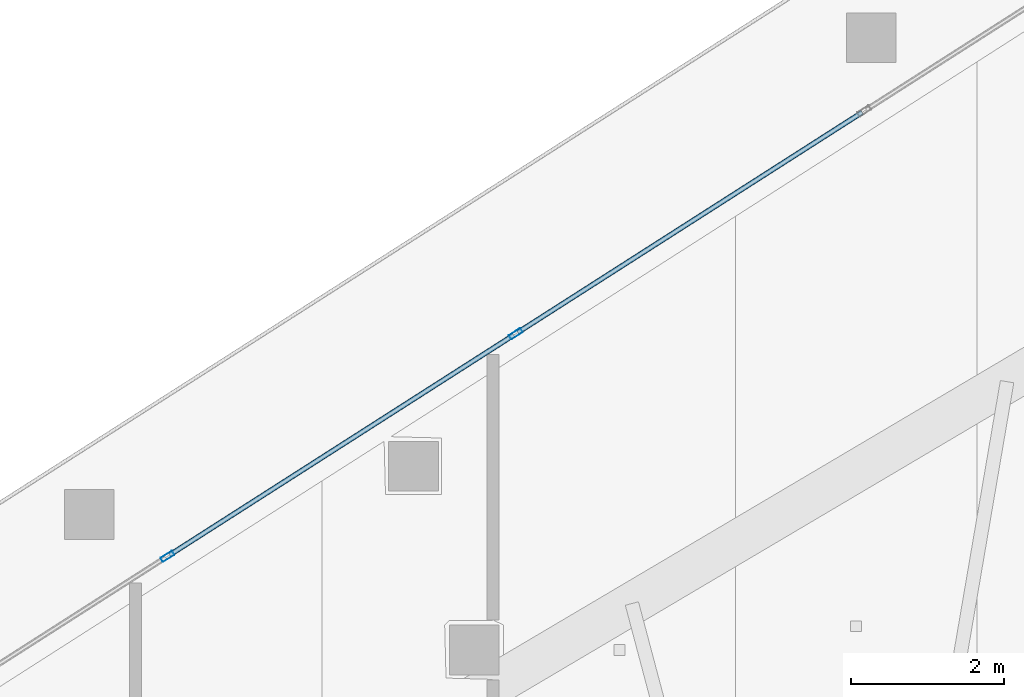
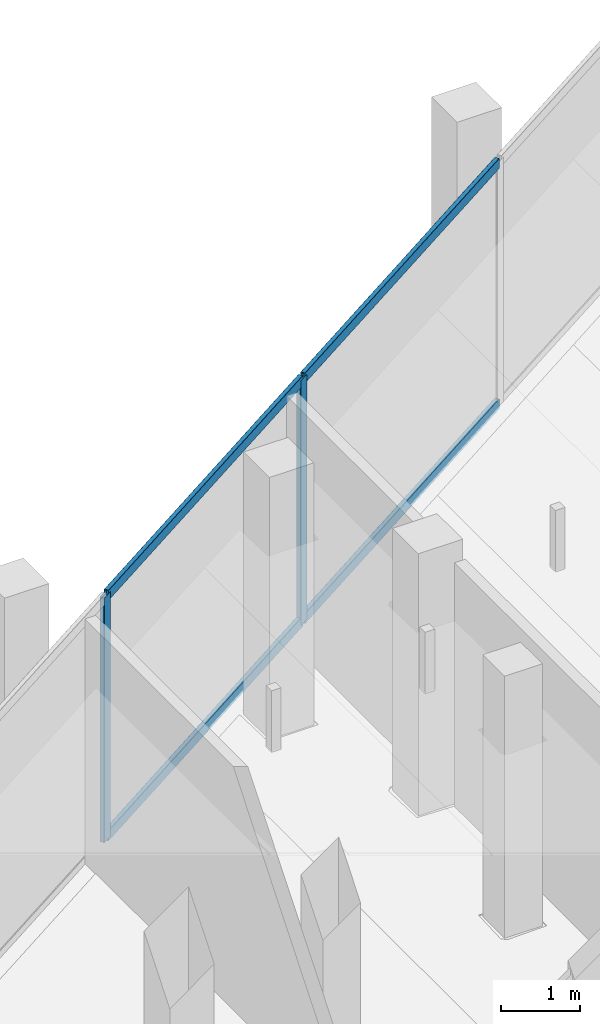
# One storey, part 17 of 38: 6 members, 1 element without a shape of its own.
"""IFC4 building model written with IfcOpenShell, lengths in metres."""

from ifc_helpers import new_model, si_unit, direction, frame, origin, origin_2d, place, context, subcontext, project, spatial, hollow_rectangle, extrude, material, layer, layer_set, material_profile, profile_set, type_object, element, aggregate, save


model = new_model("IFC4")

# Units and contexts
model_context = context("Model", 3, precision=1e-05, world=origin(), true_north=direction((0.0, 1.0)))
body_context = subcontext(model_context, "Body", "Model", "MODEL_VIEW")
ifc_project = project(units=[si_unit("LENGTHUNIT", "METRE"), si_unit("AREAUNIT", "SQUARE_METRE"), si_unit("VOLUMEUNIT", "CUBIC_METRE"), si_unit("PLANEANGLEUNIT", "RADIAN"), si_unit("MASSUNIT", "GRAM", prefix="KILO")], contexts=[model_context])

# Site, building, storey
site_placement = place(None, origin())
site = spatial("IfcSite", under=ifc_project, at=site_placement, CompositionType="ELEMENT")
building_placement = place(site_placement, origin())
building = spatial("IfcBuilding", under=site, at=building_placement, Name="Qorvath Tower", CompositionType="ELEMENT")
storey_placement = place(building_placement, frame((0.0, 0.0, 146.25)))
storey = spatial("IfcBuildingStorey", under=building, at=storey_placement, Name="L33", CompositionType="ELEMENT", Elevation=146.25)

# Curtain wall, members
ifc_material_1 = material(Name="Anodised aluminium and triple low-E glass", Category="aluminium")
ifc_layer = layer(ifc_material_1, 0.179931640625)
ifc_layer_set = layer_set([ifc_layer], Name="CW-SYS-3")
curtain_wall_type = type_object("IfcCurtainWallType", Name="CW-SYS-3", PredefinedType="NOTDEFINED", material=ifc_layer_set)
curtain_wall_placement = place(storey_placement, origin())
curtain_wall = element("IfcCurtainWall", 1, at=curtain_wall_placement, inside=storey, type_object=curtain_wall_type, Name="Curtain Wall CW-3 CW-T-L33-16.1", PredefinedType="NOTDEFINED")
ifc_material_2 = material(Name="Anodised aluminium 6063-T6", Category="aluminium")
ifc_material_profile_1 = material_profile(ifc_material_2, hollow_rectangle(XDim=0.06494140625, YDim=0.179931640625, WallThickness=0.00341796875, InnerFilletRadius=0.00341796875, OuterFilletRadius=0.007080078125, at=origin_2d()), Name="CWM 180x65")
ifc_profile_set_1 = profile_set([ifc_material_profile_1], Name="Anodised aluminium 6063-T6")
member_type_1 = type_object("IfcMemberType", Name="CWM-180", PredefinedType="MULLION", material=ifc_profile_set_1)
member_1_placement = place(storey_placement, frame((-29.68017578125, 21.19091796875, 0.0), z_axis=(0.0, 0.0, 1.0), x_axis=(0.53853296968, -0.842604438967, 0.0)))
member_1 = element("IfcMember", 2, at=member_1_placement, type_object=member_type_1, Name="CW-3 mullion 4", PredefinedType="MULLION", context=body_context, shape_type="SweptSolid", body=[
    extrude(hollow_rectangle(XDim=0.06494140625, YDim=0.179931640625, WallThickness=0.00341796875, InnerFilletRadius=0.00341796875, OuterFilletRadius=0.007080078125, at=origin_2d()), origin(), (0.0, 0.0, 1.0), 3.780029296875),
])
member_2_placement = place(storey_placement, frame((-34.23095703125, 18.2822265625, 0.0), z_axis=(0.0, 0.0, 1.0), x_axis=(0.53853296968, -0.842604438967, 0.0)))
member_2 = element("IfcMember", 3, at=member_2_placement, type_object=member_type_1, Name="CW-3 mullion 5", PredefinedType="MULLION", context=body_context, shape_type="SweptSolid", body=[
    extrude(hollow_rectangle(XDim=0.06494140625, YDim=0.179931640625, WallThickness=0.00341796875, InnerFilletRadius=0.00341796875, OuterFilletRadius=0.007080078125, at=origin_2d()), origin(), (0.0, 0.0, 1.0), 3.780029296875),
])
ifc_material_3 = material(Name="Anodised aluminium 6063-T6", Category="aluminium")
ifc_material_profile_2 = material_profile(ifc_material_3, hollow_rectangle(XDim=0.06494140625, YDim=0.159912109375, WallThickness=0.00341796875, InnerFilletRadius=0.00341796875, OuterFilletRadius=0.007080078125, at=origin_2d()), Name="CWT 160x65")
ifc_profile_set_2 = profile_set([ifc_material_profile_2], Name="Anodised aluminium 6063-T6")
member_type_2 = type_object("IfcMemberType", Name="CWT-160", PredefinedType="USERDEFINED", material=ifc_profile_set_2)
member_3_placement = place(storey_placement, frame((-25.15673828125, 24.081787109375, 0.032470703125), z_axis=(-0.842608601225, -0.538526457234, 0.0), x_axis=(0.538526457234, -0.842608601225, 0.0)))
member_3 = element("IfcMember", 4, at=member_3_placement, type_object=member_type_2, Name="CW-3 transom 3.1", ObjectType="TRANSOM", PredefinedType="USERDEFINED", context=body_context, shape_type="SweptSolid", body=[
    extrude(hollow_rectangle(XDim=0.06494140625, YDim=0.159912109375, WallThickness=0.00341796875, InnerFilletRadius=0.00341796875, OuterFilletRadius=0.007080078125, at=origin_2d()), origin(), (0.0, 0.0, 1.0), 5.3359375),
])
member_4_placement = place(storey_placement, frame((-25.15673828125, 24.081787109375, 3.74755859375), z_axis=(-0.842608601225, -0.538526457234, 0.0), x_axis=(0.538526457234, -0.842608601225, 0.0)))
member_4 = element("IfcMember", 5, at=member_4_placement, type_object=member_type_2, Name="CW-3 transom 3.2", ObjectType="TRANSOM", PredefinedType="USERDEFINED", context=body_context, shape_type="SweptSolid", body=[
    extrude(hollow_rectangle(XDim=0.06494140625, YDim=0.159912109375, WallThickness=0.00341796875, InnerFilletRadius=0.00341796875, OuterFilletRadius=0.007080078125, at=origin_2d()), origin(), (0.0, 0.0, 1.0), 5.3359375),
])
member_5_placement = place(storey_placement, frame((-29.70751953125, 21.17333984375, 0.032470703125), z_axis=(-0.842608601225, -0.538526457234, 0.0), x_axis=(0.538526457234, -0.842608601225, 0.0)))
member_5 = element("IfcMember", 6, at=member_5_placement, type_object=member_type_2, Name="CW-3 transom 4.1", ObjectType="TRANSOM", PredefinedType="USERDEFINED", context=body_context, shape_type="SweptSolid", body=[
    extrude(hollow_rectangle(XDim=0.06494140625, YDim=0.159912109375, WallThickness=0.00341796875, InnerFilletRadius=0.00341796875, OuterFilletRadius=0.007080078125, at=origin_2d()), origin(), (0.0, 0.0, 1.0), 5.3359375),
])
member_6_placement = place(storey_placement, frame((-29.70751953125, 21.17333984375, 3.74755859375), z_axis=(-0.842608601225, -0.538526457234, 0.0), x_axis=(0.538526457234, -0.842608601225, 0.0)))
member_6 = element("IfcMember", 7, at=member_6_placement, type_object=member_type_2, Name="CW-3 transom 4.2", ObjectType="TRANSOM", PredefinedType="USERDEFINED", context=body_context, shape_type="SweptSolid", body=[
    extrude(hollow_rectangle(XDim=0.06494140625, YDim=0.159912109375, WallThickness=0.00341796875, InnerFilletRadius=0.00341796875, OuterFilletRadius=0.007080078125, at=origin_2d()), origin(), (0.0, 0.0, 1.0), 5.3359375),
])
aggregate(curtain_wall, [member_1, member_2, member_3, member_4, member_5, member_6])

save(model, "model.ifc")
